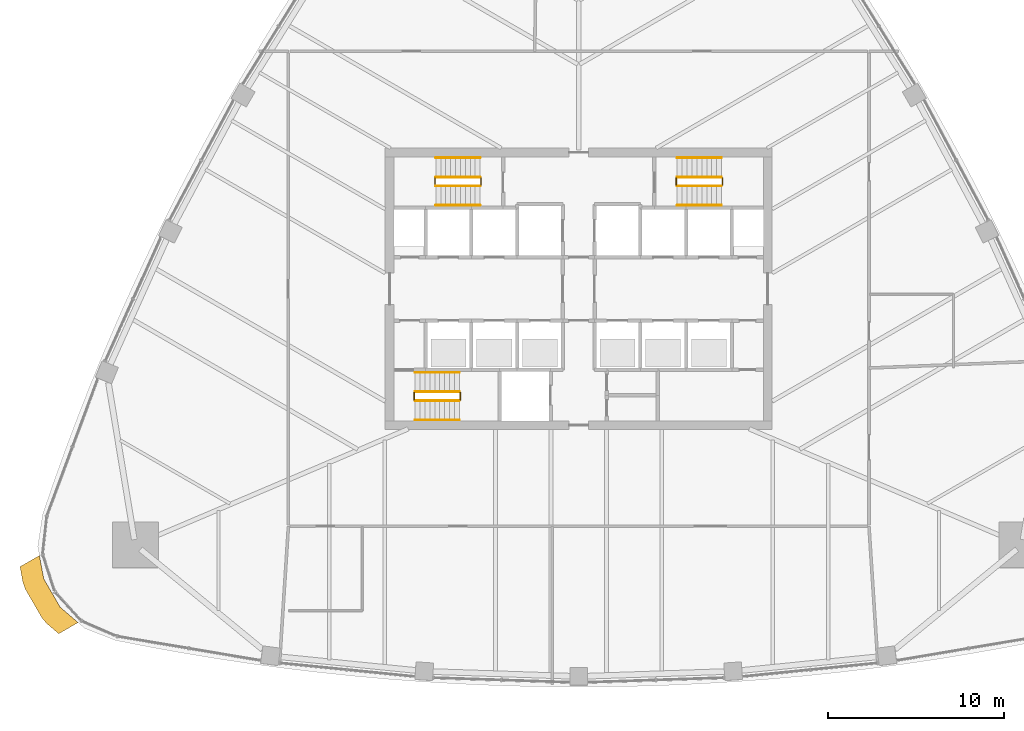
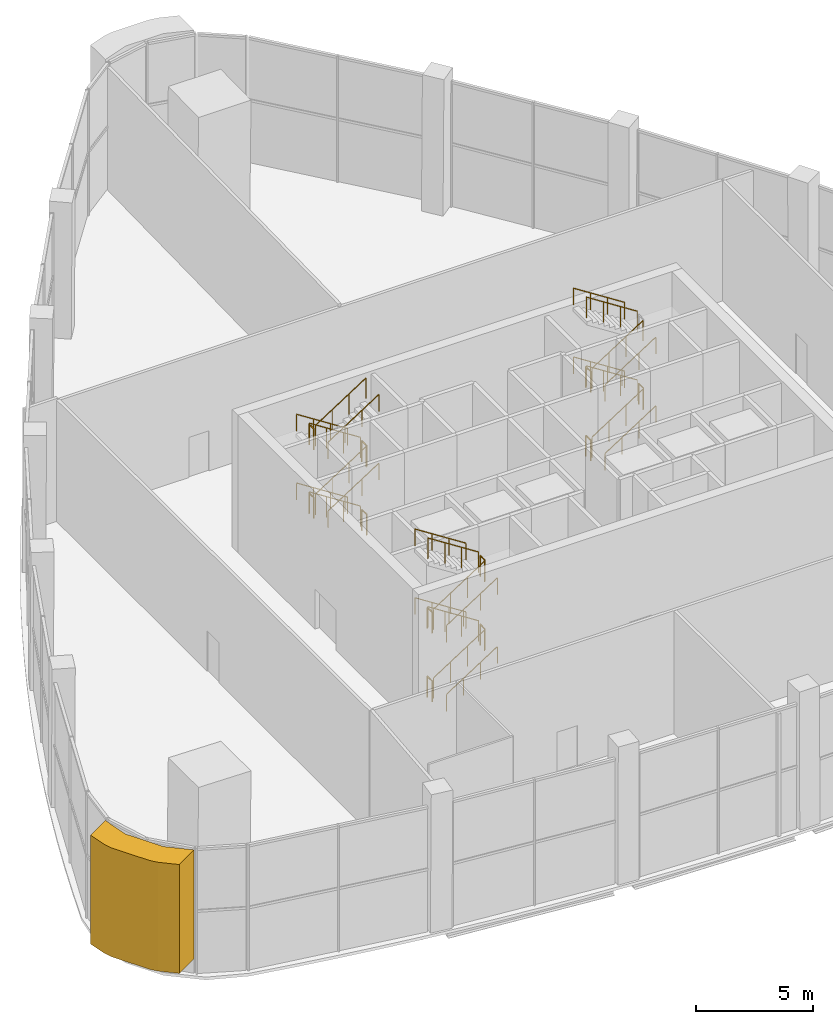
# One storey, part 13 of 15: 35 railings, 1 covering.
"""IFC4 building model written with IfcOpenShell, lengths in metres."""

from ifc_helpers import new_model, si_unit, direction, frame, origin, origin_2d, place, context, subcontext, project, spatial, polyline, circle, outline, extrude, material, layer, layer_set, type_object, element, save


model = new_model("IFC4")

# Units and contexts
model_context = context("Model", 3, precision=1e-05, world=origin(), true_north=direction((0.0, 1.0)))
body_context = subcontext(model_context, "Body", "Model", "MODEL_VIEW")
ifc_project = project(units=[si_unit("LENGTHUNIT", "METRE"), si_unit("AREAUNIT", "SQUARE_METRE"), si_unit("VOLUMEUNIT", "CUBIC_METRE"), si_unit("PLANEANGLEUNIT", "RADIAN"), si_unit("MASSUNIT", "GRAM", prefix="KILO")], contexts=[model_context])

# Site, building, storey
site_placement = place(None, origin())
site = spatial("IfcSite", under=ifc_project, at=site_placement, CompositionType="ELEMENT")
building_placement = place(site_placement, origin())
building = spatial("IfcBuilding", under=site, at=building_placement, Name="Sierra Prisma Convention Tower", CompositionType="ELEMENT")
storey_placement = place(building_placement, frame((0.0, 0.0, 118.60009765625)))
storey = spatial("IfcBuildingStorey", under=building, at=storey_placement, Name="L25", CompositionType="ELEMENT", Elevation=118.60009765625)

# Covering
ifc_material_1 = material(Name="Aluminium composite bronze anodised", Category="aluminium")
ifc_layer = layer(ifc_material_1, 1.199951171875)
ifc_layer_set = layer_set([ifc_layer], Name="Bronze corner pier")
covering_type = type_object("IfcCoveringType", Name="Bronze corner pier", PredefinedType="CLADDING", material=ifc_layer_set)
covering_placement = place(storey_placement, frame((0.0, 0.0, 0.89990234375)))
element("IfcCovering", 1, at=covering_placement, inside=storey, type_object=covering_type, Name="Corner pier SW L25.1", PredefinedType="CLADDING", context=body_context, shape_type="SweptSolid", body=[
    extrude(outline(polyline([(-30.51220703125, -18.69482421875), (-31.4462890625, -17.076904296875), (-31.586669921875, -16.697509765625), (-31.755615234375, -15.793701171875), (-30.65380859375, -15.15771484375), (-30.406982421875, -16.476806640625), (-29.472900390625, -18.094970703125), (-28.453857421875, -18.96826171875), (-29.5556640625, -19.604248046875), (-30.253662109375, -19.006103515625), (-30.51220703125, -18.69482421875)])), origin(), (0.0, 0.0, 1.0), 5.699951171875),
])

# Railings
ifc_material_2 = material(Name="Stainless steel", Category="steel")
railing_type_1 = type_object("IfcRailingType", Name="Exit stair handrail", PredefinedType="HANDRAIL", material=ifc_material_2)
railing_1_placement = place(storey_placement, frame((-9.300048828125, -7.449951171875, 0.179931640625)))
element("IfcRailing", 2, at=railing_1_placement, inside=storey, type_object=railing_type_1, Name="L25 S1 stair handrail 1", PredefinedType="HANDRAIL", context=body_context, shape_type="SweptSolid", body=[
    extrude(circle(Radius=0.02392578125, at=origin_2d()), frame((0.0, 0.0, 0.8759765625), z_axis=(0.841199657755, 0.0, 0.540724639528), x_axis=(0.0, 1.0, 0.0)), (0.0, 0.0, 1.0), 2.995849609375),
    extrude(circle(Radius=0.02099609375, at=origin_2d()), origin(), (0.0, 0.0, 1.0), 0.851806640625),
    extrude(circle(Radius=0.02099609375, at=origin_2d()), frame((0.840087890625, 0.0, 0.5400390625)), (0.0, 0.0, 1.0), 0.851806640625),
    extrude(circle(Radius=0.02099609375, at=origin_2d()), frame((1.679931640625, 0.0, 1.079833984375)), (0.0, 0.0, 1.0), 0.851806640625),
    extrude(circle(Radius=0.02099609375, at=origin_2d()), frame((2.52001953125, 0.0, 1.619873046875)), (0.0, 0.0, 1.0), 0.851806640625),
])
railing_2_placement = place(storey_placement, frame((-6.780029296875, -4.75, 1.97998046875)))
element("IfcRailing", 3, at=railing_2_placement, inside=storey, type_object=railing_type_1, Name="L25 S1 stair handrail 2", PredefinedType="HANDRAIL", context=body_context, shape_type="SweptSolid", body=[
    extrude(circle(Radius=0.02392578125, at=origin_2d()), frame((0.0, 0.0, 0.8759765625), z_axis=(-0.841199657755, 0.0, 0.540724639528), x_axis=(0.0, -1.0, 0.0)), (0.0, 0.0, 1.0), 2.995849609375),
    extrude(circle(Radius=0.02099609375, at=origin_2d()), origin(), (0.0, 0.0, 1.0), 0.851806640625),
    extrude(circle(Radius=0.02099609375, at=origin_2d()), frame((-0.840087890625, 0.0, 0.5400390625)), (0.0, 0.0, 1.0), 0.851806640625),
    extrude(circle(Radius=0.02099609375, at=origin_2d()), frame((-1.679931640625, 0.0, 1.079833984375)), (0.0, 0.0, 1.0), 0.851806640625),
    extrude(circle(Radius=0.02099609375, at=origin_2d()), frame((-2.52001953125, 0.0, 1.619873046875)), (0.0, 0.0, 1.0), 0.851806640625),
])
railing_3_placement = place(storey_placement, frame((-9.300048828125, -7.449951171875, 3.77978515625)))
element("IfcRailing", 4, at=railing_3_placement, inside=storey, type_object=railing_type_1, Name="L25 S1 stair handrail 3", PredefinedType="HANDRAIL", context=body_context, shape_type="SweptSolid", body=[
    extrude(circle(Radius=0.02392578125, at=origin_2d()), frame((0.0, 0.0, 0.8759765625), z_axis=(0.841162588446, 0.0, 0.540782303519), x_axis=(0.0, 1.0, 0.0)), (0.0, 0.0, 1.0), 2.995849609375),
    extrude(circle(Radius=0.02099609375, at=origin_2d()), origin(), (0.0, 0.0, 1.0), 0.851806640625),
    extrude(circle(Radius=0.02099609375, at=origin_2d()), frame((0.840087890625, 0.0, 0.5400390625)), (0.0, 0.0, 1.0), 0.851806640625),
    extrude(circle(Radius=0.02099609375, at=origin_2d()), frame((1.679931640625, 0.0, 1.080078125)), (0.0, 0.0, 1.0), 0.851806640625),
    extrude(circle(Radius=0.02099609375, at=origin_2d()), frame((2.52001953125, 0.0, 1.6201171875)), (0.0, 0.0, 1.0), 0.851806640625),
])
railing_4_placement = place(storey_placement, frame((-6.780029296875, -4.75, 5.579833984375)))
element("IfcRailing", 5, at=railing_4_placement, inside=storey, type_object=railing_type_1, Name="L25 S1 stair handrail 4", PredefinedType="HANDRAIL", context=body_context, shape_type="SweptSolid", body=[
    extrude(circle(Radius=0.02392578125, at=origin_2d()), frame((0.0, 0.0, 0.8759765625), z_axis=(-0.841162588446, 0.0, 0.540782303519), x_axis=(0.0, -1.0, 0.0)), (0.0, 0.0, 1.0), 2.995849609375),
    extrude(circle(Radius=0.02099609375, at=origin_2d()), origin(), (0.0, 0.0, 1.0), 0.851806640625),
    extrude(circle(Radius=0.02099609375, at=origin_2d()), frame((-0.840087890625, 0.0, 0.5400390625)), (0.0, 0.0, 1.0), 0.851806640625),
    extrude(circle(Radius=0.02099609375, at=origin_2d()), frame((-1.679931640625, 0.0, 1.080078125)), (0.0, 0.0, 1.0), 0.851806640625),
    extrude(circle(Radius=0.02099609375, at=origin_2d()), frame((-2.52001953125, 0.0, 1.6201171875)), (0.0, 0.0, 1.0), 0.851806640625),
])
railing_5_placement = place(storey_placement, frame((-5.60009765625, 7.449951171875, 0.179931640625)))
element("IfcRailing", 6, at=railing_5_placement, inside=storey, type_object=railing_type_1, Name="L25 S3 stair handrail 1", PredefinedType="HANDRAIL", context=body_context, shape_type="SweptSolid", body=[
    extrude(circle(Radius=0.02392578125, at=origin_2d()), frame((0.0, 0.0, 0.8759765625), z_axis=(-0.841199657755, 0.0, 0.540724639528), x_axis=(0.0, -1.0, 0.0)), (0.0, 0.0, 1.0), 2.995849609375),
    extrude(circle(Radius=0.02099609375, at=origin_2d()), origin(), (0.0, 0.0, 1.0), 0.851806640625),
    extrude(circle(Radius=0.02099609375, at=origin_2d()), frame((-0.840087890625, 0.0, 0.5400390625)), (0.0, 0.0, 1.0), 0.851806640625),
    extrude(circle(Radius=0.02099609375, at=origin_2d()), frame((-1.679931640625, 0.0, 1.079833984375)), (0.0, 0.0, 1.0), 0.851806640625),
    extrude(circle(Radius=0.02099609375, at=origin_2d()), frame((-2.52001953125, 0.0, 1.619873046875)), (0.0, 0.0, 1.0), 0.851806640625),
])
railing_6_placement = place(storey_placement, frame((-8.1201171875, 4.75, 1.97998046875)))
element("IfcRailing", 7, at=railing_6_placement, inside=storey, type_object=railing_type_1, Name="L25 S3 stair handrail 2", PredefinedType="HANDRAIL", context=body_context, shape_type="SweptSolid", body=[
    extrude(circle(Radius=0.02392578125, at=origin_2d()), frame((0.0, 0.0, 0.8759765625), z_axis=(0.841199657755, 0.0, 0.540724639528), x_axis=(0.0, 1.0, 0.0)), (0.0, 0.0, 1.0), 2.995849609375),
    extrude(circle(Radius=0.02099609375, at=origin_2d()), origin(), (0.0, 0.0, 1.0), 0.851806640625),
    extrude(circle(Radius=0.02099609375, at=origin_2d()), frame((0.840087890625, 0.0, 0.5400390625)), (0.0, 0.0, 1.0), 0.851806640625),
    extrude(circle(Radius=0.02099609375, at=origin_2d()), frame((1.679931640625, 0.0, 1.079833984375)), (0.0, 0.0, 1.0), 0.851806640625),
    extrude(circle(Radius=0.02099609375, at=origin_2d()), frame((2.52001953125, 0.0, 1.619873046875)), (0.0, 0.0, 1.0), 0.851806640625),
])
railing_7_placement = place(storey_placement, frame((-5.60009765625, 7.449951171875, 3.77978515625)))
element("IfcRailing", 8, at=railing_7_placement, inside=storey, type_object=railing_type_1, Name="L25 S3 stair handrail 3", PredefinedType="HANDRAIL", context=body_context, shape_type="SweptSolid", body=[
    extrude(circle(Radius=0.02392578125, at=origin_2d()), frame((0.0, 0.0, 0.8759765625), z_axis=(-0.841162588446, 0.0, 0.540782303519), x_axis=(0.0, -1.0, 0.0)), (0.0, 0.0, 1.0), 2.995849609375),
    extrude(circle(Radius=0.02099609375, at=origin_2d()), origin(), (0.0, 0.0, 1.0), 0.851806640625),
    extrude(circle(Radius=0.02099609375, at=origin_2d()), frame((-0.840087890625, 0.0, 0.5400390625)), (0.0, 0.0, 1.0), 0.851806640625),
    extrude(circle(Radius=0.02099609375, at=origin_2d()), frame((-1.679931640625, 0.0, 1.080078125)), (0.0, 0.0, 1.0), 0.851806640625),
    extrude(circle(Radius=0.02099609375, at=origin_2d()), frame((-2.52001953125, 0.0, 1.6201171875)), (0.0, 0.0, 1.0), 0.851806640625),
])
railing_8_placement = place(storey_placement, frame((-8.1201171875, 4.75, 5.579833984375)))
element("IfcRailing", 9, at=railing_8_placement, inside=storey, type_object=railing_type_1, Name="L25 S3 stair handrail 4", PredefinedType="HANDRAIL", context=body_context, shape_type="SweptSolid", body=[
    extrude(circle(Radius=0.02392578125, at=origin_2d()), frame((0.0, 0.0, 0.8759765625), z_axis=(0.841162588446, 0.0, 0.540782303519), x_axis=(0.0, 1.0, 0.0)), (0.0, 0.0, 1.0), 2.995849609375),
    extrude(circle(Radius=0.02099609375, at=origin_2d()), origin(), (0.0, 0.0, 1.0), 0.851806640625),
    extrude(circle(Radius=0.02099609375, at=origin_2d()), frame((0.840087890625, 0.0, 0.5400390625)), (0.0, 0.0, 1.0), 0.851806640625),
    extrude(circle(Radius=0.02099609375, at=origin_2d()), frame((1.679931640625, 0.0, 1.080078125)), (0.0, 0.0, 1.0), 0.851806640625),
    extrude(circle(Radius=0.02099609375, at=origin_2d()), frame((2.52001953125, 0.0, 1.6201171875)), (0.0, 0.0, 1.0), 0.851806640625),
])
railing_9_placement = place(storey_placement, frame((5.60009765625, 4.75, 0.179931640625)))
element("IfcRailing", 10, at=railing_9_placement, inside=storey, type_object=railing_type_1, Name="L25 S4 stair handrail 1", PredefinedType="HANDRAIL", context=body_context, shape_type="SweptSolid", body=[
    extrude(circle(Radius=0.02392578125, at=origin_2d()), frame((0.0, 0.0, 0.8759765625), z_axis=(0.841199657755, 0.0, 0.540724639528), x_axis=(0.0, 1.0, 0.0)), (0.0, 0.0, 1.0), 2.995849609375),
    extrude(circle(Radius=0.02099609375, at=origin_2d()), origin(), (0.0, 0.0, 1.0), 0.851806640625),
    extrude(circle(Radius=0.02099609375, at=origin_2d()), frame((0.840087890625, 0.0, 0.5400390625)), (0.0, 0.0, 1.0), 0.851806640625),
    extrude(circle(Radius=0.02099609375, at=origin_2d()), frame((1.679931640625, 0.0, 1.079833984375)), (0.0, 0.0, 1.0), 0.851806640625),
    extrude(circle(Radius=0.02099609375, at=origin_2d()), frame((2.52001953125, 0.0, 1.619873046875)), (0.0, 0.0, 1.0), 0.851806640625),
])
railing_10_placement = place(storey_placement, frame((8.1201171875, 7.449951171875, 1.97998046875)))
element("IfcRailing", 11, at=railing_10_placement, inside=storey, type_object=railing_type_1, Name="L25 S4 stair handrail 2", PredefinedType="HANDRAIL", context=body_context, shape_type="SweptSolid", body=[
    extrude(circle(Radius=0.02392578125, at=origin_2d()), frame((0.0, 0.0, 0.8759765625), z_axis=(-0.841199657755, 0.0, 0.540724639528), x_axis=(0.0, -1.0, 0.0)), (0.0, 0.0, 1.0), 2.995849609375),
    extrude(circle(Radius=0.02099609375, at=origin_2d()), origin(), (0.0, 0.0, 1.0), 0.851806640625),
    extrude(circle(Radius=0.02099609375, at=origin_2d()), frame((-0.840087890625, 0.0, 0.5400390625)), (0.0, 0.0, 1.0), 0.851806640625),
    extrude(circle(Radius=0.02099609375, at=origin_2d()), frame((-1.679931640625, 0.0, 1.079833984375)), (0.0, 0.0, 1.0), 0.851806640625),
    extrude(circle(Radius=0.02099609375, at=origin_2d()), frame((-2.52001953125, 0.0, 1.619873046875)), (0.0, 0.0, 1.0), 0.851806640625),
])
railing_11_placement = place(storey_placement, frame((5.60009765625, 4.75, 3.77978515625)))
element("IfcRailing", 12, at=railing_11_placement, inside=storey, type_object=railing_type_1, Name="L25 S4 stair handrail 3", PredefinedType="HANDRAIL", context=body_context, shape_type="SweptSolid", body=[
    extrude(circle(Radius=0.02392578125, at=origin_2d()), frame((0.0, 0.0, 0.8759765625), z_axis=(0.841162588446, 0.0, 0.540782303519), x_axis=(0.0, 1.0, 0.0)), (0.0, 0.0, 1.0), 2.995849609375),
    extrude(circle(Radius=0.02099609375, at=origin_2d()), origin(), (0.0, 0.0, 1.0), 0.851806640625),
    extrude(circle(Radius=0.02099609375, at=origin_2d()), frame((0.840087890625, 0.0, 0.5400390625)), (0.0, 0.0, 1.0), 0.851806640625),
    extrude(circle(Radius=0.02099609375, at=origin_2d()), frame((1.679931640625, 0.0, 1.080078125)), (0.0, 0.0, 1.0), 0.851806640625),
    extrude(circle(Radius=0.02099609375, at=origin_2d()), frame((2.52001953125, 0.0, 1.6201171875)), (0.0, 0.0, 1.0), 0.851806640625),
])
railing_12_placement = place(storey_placement, frame((8.1201171875, 7.449951171875, 5.579833984375)))
element("IfcRailing", 13, at=railing_12_placement, inside=storey, type_object=railing_type_1, Name="L25 S4 stair handrail 4", PredefinedType="HANDRAIL", context=body_context, shape_type="SweptSolid", body=[
    extrude(circle(Radius=0.02392578125, at=origin_2d()), frame((0.0, 0.0, 0.8759765625), z_axis=(-0.841162588446, 0.0, 0.540782303519), x_axis=(0.0, -1.0, 0.0)), (0.0, 0.0, 1.0), 2.995849609375),
    extrude(circle(Radius=0.02099609375, at=origin_2d()), origin(), (0.0, 0.0, 1.0), 0.851806640625),
    extrude(circle(Radius=0.02099609375, at=origin_2d()), frame((-0.840087890625, 0.0, 0.5400390625)), (0.0, 0.0, 1.0), 0.851806640625),
    extrude(circle(Radius=0.02099609375, at=origin_2d()), frame((-1.679931640625, 0.0, 1.080078125)), (0.0, 0.0, 1.0), 0.851806640625),
    extrude(circle(Radius=0.02099609375, at=origin_2d()), frame((-2.52001953125, 0.0, 1.6201171875)), (0.0, 0.0, 1.0), 0.851806640625),
])
ifc_material_3 = material(Name="Stainless steel", Category="steel")
railing_type_2 = type_object("IfcRailingType", Name="Stair guard 1100", PredefinedType="GUARDRAIL", material=ifc_material_3)
railing_13_placement = place(storey_placement, frame((-9.300048828125, -6.35009765625, 0.179931640625)))
element("IfcRailing", 14, at=railing_13_placement, inside=storey, type_object=railing_type_2, Name="L25 S1 stair guard 1", PredefinedType="GUARDRAIL", context=body_context, shape_type="SweptSolid", body=[
    extrude(circle(Radius=0.02392578125, at=origin_2d()), frame((0.0, 0.0, 1.076171875), z_axis=(0.841199657755, 0.0, 0.540724639528), x_axis=(0.0, 1.0, 0.0)), (0.0, 0.0, 1.0), 2.995849609375),
    extrude(circle(Radius=0.02099609375, at=origin_2d()), origin(), (0.0, 0.0, 1.0), 1.052001953125),
    extrude(circle(Radius=0.02099609375, at=origin_2d()), frame((0.840087890625, 0.0, 0.5400390625)), (0.0, 0.0, 1.0), 1.052001953125),
    extrude(circle(Radius=0.02099609375, at=origin_2d()), frame((1.679931640625, 0.0, 1.079833984375)), (0.0, 0.0, 1.0), 1.052001953125),
    extrude(circle(Radius=0.02099609375, at=origin_2d()), frame((2.52001953125, 0.0, 1.619873046875)), (0.0, 0.0, 1.0), 1.052001953125),
])
railing_14_placement = place(storey_placement, frame((-6.72998046875, -6.300048828125, 1.7998046875)))
element("IfcRailing", 15, at=railing_14_placement, inside=storey, type_object=railing_type_2, Name="L25 S1 stair guard 2", PredefinedType="GUARDRAIL", context=body_context, shape_type="SweptSolid", body=[
    extrude(circle(Radius=0.02392578125, at=origin_2d()), frame((0.0, 0.0, 1.076171875), z_axis=(0.0, 1.0, 0.0), x_axis=(-1.0, 0.0, 0.0)), (0.0, 0.0, 1.0), 0.400146484375),
    extrude(circle(Radius=0.02099609375, at=origin_2d()), origin(), (0.0, 0.0, 1.0), 1.052001953125),
    extrude(circle(Radius=0.02099609375, at=origin_2d()), frame((0.0, 0.400146484375, 0.0)), (0.0, 0.0, 1.0), 1.052001953125),
])
railing_15_placement = place(storey_placement, frame((-6.780029296875, -5.85009765625, 1.97998046875)))
element("IfcRailing", 16, at=railing_15_placement, inside=storey, type_object=railing_type_2, Name="L25 S1 stair guard 3", PredefinedType="GUARDRAIL", context=body_context, shape_type="SweptSolid", body=[
    extrude(circle(Radius=0.02392578125, at=origin_2d()), frame((0.0, 0.0, 1.076171875), z_axis=(-0.841199657755, 0.0, 0.540724639528), x_axis=(0.0, -1.0, 0.0)), (0.0, 0.0, 1.0), 2.995849609375),
    extrude(circle(Radius=0.02099609375, at=origin_2d()), origin(), (0.0, 0.0, 1.0), 1.052001953125),
    extrude(circle(Radius=0.02099609375, at=origin_2d()), frame((-0.840087890625, 0.0, 0.5400390625)), (0.0, 0.0, 1.0), 1.052001953125),
    extrude(circle(Radius=0.02099609375, at=origin_2d()), frame((-1.679931640625, 0.0, 1.079833984375)), (0.0, 0.0, 1.0), 1.052001953125),
    extrude(circle(Radius=0.02099609375, at=origin_2d()), frame((-2.52001953125, 0.0, 1.619873046875)), (0.0, 0.0, 1.0), 1.052001953125),
])
railing_16_placement = place(storey_placement, frame((-9.35009765625, -6.300048828125, 3.599853515625)))
element("IfcRailing", 17, at=railing_16_placement, inside=storey, type_object=railing_type_2, Name="L25 S1 stair guard 4", PredefinedType="GUARDRAIL", context=body_context, shape_type="SweptSolid", body=[
    extrude(circle(Radius=0.02392578125, at=origin_2d()), frame((0.0, 0.0, 1.076171875), z_axis=(0.0, 1.0, 0.0), x_axis=(-1.0, 0.0, 0.0)), (0.0, 0.0, 1.0), 0.400146484375),
    extrude(circle(Radius=0.02099609375, at=origin_2d()), origin(), (0.0, 0.0, 1.0), 1.052001953125),
    extrude(circle(Radius=0.02099609375, at=origin_2d()), frame((0.0, 0.400146484375, 0.0)), (0.0, 0.0, 1.0), 1.052001953125),
])
railing_17_placement = place(storey_placement, frame((-9.300048828125, -6.35009765625, 3.77978515625)))
element("IfcRailing", 18, at=railing_17_placement, inside=storey, type_object=railing_type_2, Name="L25 S1 stair guard 5", PredefinedType="GUARDRAIL", context=body_context, shape_type="SweptSolid", body=[
    extrude(circle(Radius=0.02392578125, at=origin_2d()), frame((0.0, 0.0, 1.076171875), z_axis=(0.841162588446, 0.0, 0.540782303519), x_axis=(0.0, 1.0, 0.0)), (0.0, 0.0, 1.0), 2.995849609375),
    extrude(circle(Radius=0.02099609375, at=origin_2d()), origin(), (0.0, 0.0, 1.0), 1.052001953125),
    extrude(circle(Radius=0.02099609375, at=origin_2d()), frame((0.840087890625, 0.0, 0.5400390625)), (0.0, 0.0, 1.0), 1.052001953125),
    extrude(circle(Radius=0.02099609375, at=origin_2d()), frame((1.679931640625, 0.0, 1.080078125)), (0.0, 0.0, 1.0), 1.052001953125),
    extrude(circle(Radius=0.02099609375, at=origin_2d()), frame((2.52001953125, 0.0, 1.6201171875)), (0.0, 0.0, 1.0), 1.052001953125),
])
railing_18_placement = place(storey_placement, frame((-6.72998046875, -6.300048828125, 5.39990234375)))
element("IfcRailing", 19, at=railing_18_placement, inside=storey, type_object=railing_type_2, Name="L25 S1 stair guard 6", PredefinedType="GUARDRAIL", context=body_context, shape_type="SweptSolid", body=[
    extrude(circle(Radius=0.02392578125, at=origin_2d()), frame((0.0, 0.0, 1.076171875), z_axis=(0.0, 1.0, 0.0), x_axis=(-1.0, 0.0, 0.0)), (0.0, 0.0, 1.0), 0.400146484375),
    extrude(circle(Radius=0.02099609375, at=origin_2d()), origin(), (0.0, 0.0, 1.0), 1.052001953125),
    extrude(circle(Radius=0.02099609375, at=origin_2d()), frame((0.0, 0.400146484375, 0.0)), (0.0, 0.0, 1.0), 1.052001953125),
])
railing_19_placement = place(storey_placement, frame((-6.780029296875, -5.85009765625, 5.579833984375)))
element("IfcRailing", 20, at=railing_19_placement, inside=storey, type_object=railing_type_2, Name="L25 S1 stair guard 7", PredefinedType="GUARDRAIL", context=body_context, shape_type="SweptSolid", body=[
    extrude(circle(Radius=0.02392578125, at=origin_2d()), frame((0.0, 0.0, 1.076171875), z_axis=(-0.841162588446, 0.0, 0.540782303519), x_axis=(0.0, -1.0, 0.0)), (0.0, 0.0, 1.0), 2.995849609375),
    extrude(circle(Radius=0.02099609375, at=origin_2d()), origin(), (0.0, 0.0, 1.0), 1.052001953125),
    extrude(circle(Radius=0.02099609375, at=origin_2d()), frame((-0.840087890625, 0.0, 0.5400390625)), (0.0, 0.0, 1.0), 1.052001953125),
    extrude(circle(Radius=0.02099609375, at=origin_2d()), frame((-1.679931640625, 0.0, 1.080078125)), (0.0, 0.0, 1.0), 1.052001953125),
    extrude(circle(Radius=0.02099609375, at=origin_2d()), frame((-2.52001953125, 0.0, 1.6201171875)), (0.0, 0.0, 1.0), 1.052001953125),
])
railing_20_placement = place(storey_placement, frame((-9.35009765625, -6.300048828125, 0.0)))
element("IfcRailing", 21, at=railing_20_placement, inside=storey, type_object=railing_type_2, Name="L25 S1 stair guard 8", PredefinedType="GUARDRAIL", context=body_context, shape_type="SweptSolid", body=[
    extrude(circle(Radius=0.02392578125, at=origin_2d()), frame((0.0, 0.0, 1.076171875), z_axis=(0.0, 1.0, 0.0), x_axis=(-1.0, 0.0, 0.0)), (0.0, 0.0, 1.0), 0.400146484375),
    extrude(circle(Radius=0.02099609375, at=origin_2d()), origin(), (0.0, 0.0, 1.0), 1.052001953125),
    extrude(circle(Radius=0.02099609375, at=origin_2d()), frame((0.0, 0.400146484375, 0.0)), (0.0, 0.0, 1.0), 1.052001953125),
])
railing_21_placement = place(storey_placement, frame((-5.60009765625, 6.35009765625, 0.179931640625)))
element("IfcRailing", 22, at=railing_21_placement, inside=storey, type_object=railing_type_2, Name="L25 S3 stair guard 1", PredefinedType="GUARDRAIL", context=body_context, shape_type="SweptSolid", body=[
    extrude(circle(Radius=0.02392578125, at=origin_2d()), frame((0.0, 0.0, 1.076171875), z_axis=(-0.841199657755, 0.0, 0.540724639528), x_axis=(0.0, -1.0, 0.0)), (0.0, 0.0, 1.0), 2.995849609375),
    extrude(circle(Radius=0.02099609375, at=origin_2d()), origin(), (0.0, 0.0, 1.0), 1.052001953125),
    extrude(circle(Radius=0.02099609375, at=origin_2d()), frame((-0.840087890625, 0.0, 0.5400390625)), (0.0, 0.0, 1.0), 1.052001953125),
    extrude(circle(Radius=0.02099609375, at=origin_2d()), frame((-1.679931640625, 0.0, 1.079833984375)), (0.0, 0.0, 1.0), 1.052001953125),
    extrude(circle(Radius=0.02099609375, at=origin_2d()), frame((-2.52001953125, 0.0, 1.619873046875)), (0.0, 0.0, 1.0), 1.052001953125),
])
railing_22_placement = place(storey_placement, frame((-8.169921875, 6.300048828125, 1.7998046875)))
element("IfcRailing", 23, at=railing_22_placement, inside=storey, type_object=railing_type_2, Name="L25 S3 stair guard 2", PredefinedType="GUARDRAIL", context=body_context, shape_type="SweptSolid", body=[
    extrude(circle(Radius=0.02392578125, at=origin_2d()), frame((0.0, 0.0, 1.076171875), z_axis=(0.0, -1.0, 0.0), x_axis=(1.0, 0.0, 0.0)), (0.0, 0.0, 1.0), 0.400146484375),
    extrude(circle(Radius=0.02099609375, at=origin_2d()), origin(), (0.0, 0.0, 1.0), 1.052001953125),
    extrude(circle(Radius=0.02099609375, at=origin_2d()), frame((0.0, -0.400146484375, 0.0)), (0.0, 0.0, 1.0), 1.052001953125),
])
railing_23_placement = place(storey_placement, frame((-8.1201171875, 5.85009765625, 1.97998046875)))
element("IfcRailing", 24, at=railing_23_placement, inside=storey, type_object=railing_type_2, Name="L25 S3 stair guard 3", PredefinedType="GUARDRAIL", context=body_context, shape_type="SweptSolid", body=[
    extrude(circle(Radius=0.02392578125, at=origin_2d()), frame((0.0, 0.0, 1.076171875), z_axis=(0.841199657755, 0.0, 0.540724639528), x_axis=(0.0, 1.0, 0.0)), (0.0, 0.0, 1.0), 2.995849609375),
    extrude(circle(Radius=0.02099609375, at=origin_2d()), origin(), (0.0, 0.0, 1.0), 1.052001953125),
    extrude(circle(Radius=0.02099609375, at=origin_2d()), frame((0.840087890625, 0.0, 0.5400390625)), (0.0, 0.0, 1.0), 1.052001953125),
    extrude(circle(Radius=0.02099609375, at=origin_2d()), frame((1.679931640625, 0.0, 1.079833984375)), (0.0, 0.0, 1.0), 1.052001953125),
    extrude(circle(Radius=0.02099609375, at=origin_2d()), frame((2.52001953125, 0.0, 1.619873046875)), (0.0, 0.0, 1.0), 1.052001953125),
])
railing_24_placement = place(storey_placement, frame((-5.550048828125, 6.300048828125, 3.599853515625)))
element("IfcRailing", 25, at=railing_24_placement, inside=storey, type_object=railing_type_2, Name="L25 S3 stair guard 4", PredefinedType="GUARDRAIL", context=body_context, shape_type="SweptSolid", body=[
    extrude(circle(Radius=0.02392578125, at=origin_2d()), frame((0.0, 0.0, 1.076171875), z_axis=(0.0, -1.0, 0.0), x_axis=(1.0, 0.0, 0.0)), (0.0, 0.0, 1.0), 0.400146484375),
    extrude(circle(Radius=0.02099609375, at=origin_2d()), origin(), (0.0, 0.0, 1.0), 1.052001953125),
    extrude(circle(Radius=0.02099609375, at=origin_2d()), frame((0.0, -0.400146484375, 0.0)), (0.0, 0.0, 1.0), 1.052001953125),
])
railing_25_placement = place(storey_placement, frame((-5.60009765625, 6.35009765625, 3.77978515625)))
element("IfcRailing", 26, at=railing_25_placement, inside=storey, type_object=railing_type_2, Name="L25 S3 stair guard 5", PredefinedType="GUARDRAIL", context=body_context, shape_type="SweptSolid", body=[
    extrude(circle(Radius=0.02392578125, at=origin_2d()), frame((0.0, 0.0, 1.076171875), z_axis=(-0.841162588446, 0.0, 0.540782303519), x_axis=(0.0, -1.0, 0.0)), (0.0, 0.0, 1.0), 2.995849609375),
    extrude(circle(Radius=0.02099609375, at=origin_2d()), origin(), (0.0, 0.0, 1.0), 1.052001953125),
    extrude(circle(Radius=0.02099609375, at=origin_2d()), frame((-0.840087890625, 0.0, 0.5400390625)), (0.0, 0.0, 1.0), 1.052001953125),
    extrude(circle(Radius=0.02099609375, at=origin_2d()), frame((-1.679931640625, 0.0, 1.080078125)), (0.0, 0.0, 1.0), 1.052001953125),
    extrude(circle(Radius=0.02099609375, at=origin_2d()), frame((-2.52001953125, 0.0, 1.6201171875)), (0.0, 0.0, 1.0), 1.052001953125),
])
railing_26_placement = place(storey_placement, frame((-8.169921875, 6.300048828125, 5.39990234375)))
element("IfcRailing", 27, at=railing_26_placement, inside=storey, type_object=railing_type_2, Name="L25 S3 stair guard 6", PredefinedType="GUARDRAIL", context=body_context, shape_type="SweptSolid", body=[
    extrude(circle(Radius=0.02392578125, at=origin_2d()), frame((0.0, 0.0, 1.076171875), z_axis=(0.0, -1.0, 0.0), x_axis=(1.0, 0.0, 0.0)), (0.0, 0.0, 1.0), 0.400146484375),
    extrude(circle(Radius=0.02099609375, at=origin_2d()), origin(), (0.0, 0.0, 1.0), 1.052001953125),
    extrude(circle(Radius=0.02099609375, at=origin_2d()), frame((0.0, -0.400146484375, 0.0)), (0.0, 0.0, 1.0), 1.052001953125),
])
railing_27_placement = place(storey_placement, frame((-8.1201171875, 5.85009765625, 5.579833984375)))
element("IfcRailing", 28, at=railing_27_placement, inside=storey, type_object=railing_type_2, Name="L25 S3 stair guard 7", PredefinedType="GUARDRAIL", context=body_context, shape_type="SweptSolid", body=[
    extrude(circle(Radius=0.02392578125, at=origin_2d()), frame((0.0, 0.0, 1.076171875), z_axis=(0.841162588446, 0.0, 0.540782303519), x_axis=(0.0, 1.0, 0.0)), (0.0, 0.0, 1.0), 2.995849609375),
    extrude(circle(Radius=0.02099609375, at=origin_2d()), origin(), (0.0, 0.0, 1.0), 1.052001953125),
    extrude(circle(Radius=0.02099609375, at=origin_2d()), frame((0.840087890625, 0.0, 0.5400390625)), (0.0, 0.0, 1.0), 1.052001953125),
    extrude(circle(Radius=0.02099609375, at=origin_2d()), frame((1.679931640625, 0.0, 1.080078125)), (0.0, 0.0, 1.0), 1.052001953125),
    extrude(circle(Radius=0.02099609375, at=origin_2d()), frame((2.52001953125, 0.0, 1.6201171875)), (0.0, 0.0, 1.0), 1.052001953125),
])
railing_28_placement = place(storey_placement, frame((-5.550048828125, 6.300048828125, 0.0)))
element("IfcRailing", 29, at=railing_28_placement, inside=storey, type_object=railing_type_2, Name="L25 S3 stair guard 8", PredefinedType="GUARDRAIL", context=body_context, shape_type="SweptSolid", body=[
    extrude(circle(Radius=0.02392578125, at=origin_2d()), frame((0.0, 0.0, 1.076171875), z_axis=(0.0, -1.0, 0.0), x_axis=(1.0, 0.0, 0.0)), (0.0, 0.0, 1.0), 0.400146484375),
    extrude(circle(Radius=0.02099609375, at=origin_2d()), origin(), (0.0, 0.0, 1.0), 1.052001953125),
    extrude(circle(Radius=0.02099609375, at=origin_2d()), frame((0.0, -0.400146484375, 0.0)), (0.0, 0.0, 1.0), 1.052001953125),
])
railing_29_placement = place(storey_placement, frame((5.60009765625, 5.85009765625, 0.179931640625)))
element("IfcRailing", 30, at=railing_29_placement, inside=storey, type_object=railing_type_2, Name="L25 S4 stair guard 1", PredefinedType="GUARDRAIL", context=body_context, shape_type="SweptSolid", body=[
    extrude(circle(Radius=0.02392578125, at=origin_2d()), frame((0.0, 0.0, 1.076171875), z_axis=(0.841199657755, 0.0, 0.540724639528), x_axis=(0.0, 1.0, 0.0)), (0.0, 0.0, 1.0), 2.995849609375),
    extrude(circle(Radius=0.02099609375, at=origin_2d()), origin(), (0.0, 0.0, 1.0), 1.052001953125),
    extrude(circle(Radius=0.02099609375, at=origin_2d()), frame((0.840087890625, 0.0, 0.5400390625)), (0.0, 0.0, 1.0), 1.052001953125),
    extrude(circle(Radius=0.02099609375, at=origin_2d()), frame((1.679931640625, 0.0, 1.079833984375)), (0.0, 0.0, 1.0), 1.052001953125),
    extrude(circle(Radius=0.02099609375, at=origin_2d()), frame((2.52001953125, 0.0, 1.619873046875)), (0.0, 0.0, 1.0), 1.052001953125),
])
railing_30_placement = place(storey_placement, frame((8.169921875, 5.89990234375, 1.7998046875)))
element("IfcRailing", 31, at=railing_30_placement, inside=storey, type_object=railing_type_2, Name="L25 S4 stair guard 2", PredefinedType="GUARDRAIL", context=body_context, shape_type="SweptSolid", body=[
    extrude(circle(Radius=0.02392578125, at=origin_2d()), frame((0.0, 0.0, 1.076171875), z_axis=(0.0, 1.0, 0.0), x_axis=(-1.0, 0.0, 0.0)), (0.0, 0.0, 1.0), 0.400146484375),
    extrude(circle(Radius=0.02099609375, at=origin_2d()), origin(), (0.0, 0.0, 1.0), 1.052001953125),
    extrude(circle(Radius=0.02099609375, at=origin_2d()), frame((0.0, 0.400146484375, 0.0)), (0.0, 0.0, 1.0), 1.052001953125),
])
railing_31_placement = place(storey_placement, frame((8.1201171875, 6.35009765625, 1.97998046875)))
element("IfcRailing", 32, at=railing_31_placement, inside=storey, type_object=railing_type_2, Name="L25 S4 stair guard 3", PredefinedType="GUARDRAIL", context=body_context, shape_type="SweptSolid", body=[
    extrude(circle(Radius=0.02392578125, at=origin_2d()), frame((0.0, 0.0, 1.076171875), z_axis=(-0.841199657755, 0.0, 0.540724639528), x_axis=(0.0, -1.0, 0.0)), (0.0, 0.0, 1.0), 2.995849609375),
    extrude(circle(Radius=0.02099609375, at=origin_2d()), origin(), (0.0, 0.0, 1.0), 1.052001953125),
    extrude(circle(Radius=0.02099609375, at=origin_2d()), frame((-0.840087890625, 0.0, 0.5400390625)), (0.0, 0.0, 1.0), 1.052001953125),
    extrude(circle(Radius=0.02099609375, at=origin_2d()), frame((-1.679931640625, 0.0, 1.079833984375)), (0.0, 0.0, 1.0), 1.052001953125),
    extrude(circle(Radius=0.02099609375, at=origin_2d()), frame((-2.52001953125, 0.0, 1.619873046875)), (0.0, 0.0, 1.0), 1.052001953125),
])
railing_32_placement = place(storey_placement, frame((5.550048828125, 5.89990234375, 3.599853515625)))
element("IfcRailing", 33, at=railing_32_placement, inside=storey, type_object=railing_type_2, Name="L25 S4 stair guard 4", PredefinedType="GUARDRAIL", context=body_context, shape_type="SweptSolid", body=[
    extrude(circle(Radius=0.02392578125, at=origin_2d()), frame((0.0, 0.0, 1.076171875), z_axis=(0.0, 1.0, 0.0), x_axis=(-1.0, 0.0, 0.0)), (0.0, 0.0, 1.0), 0.400146484375),
    extrude(circle(Radius=0.02099609375, at=origin_2d()), origin(), (0.0, 0.0, 1.0), 1.052001953125),
    extrude(circle(Radius=0.02099609375, at=origin_2d()), frame((0.0, 0.400146484375, 0.0)), (0.0, 0.0, 1.0), 1.052001953125),
])
railing_33_placement = place(storey_placement, frame((5.60009765625, 5.85009765625, 3.77978515625)))
element("IfcRailing", 34, at=railing_33_placement, inside=storey, type_object=railing_type_2, Name="L25 S4 stair guard 5", PredefinedType="GUARDRAIL", context=body_context, shape_type="SweptSolid", body=[
    extrude(circle(Radius=0.02392578125, at=origin_2d()), frame((0.0, 0.0, 1.076171875), z_axis=(0.841162588446, 0.0, 0.540782303519), x_axis=(0.0, 1.0, 0.0)), (0.0, 0.0, 1.0), 2.995849609375),
    extrude(circle(Radius=0.02099609375, at=origin_2d()), origin(), (0.0, 0.0, 1.0), 1.052001953125),
    extrude(circle(Radius=0.02099609375, at=origin_2d()), frame((0.840087890625, 0.0, 0.5400390625)), (0.0, 0.0, 1.0), 1.052001953125),
    extrude(circle(Radius=0.02099609375, at=origin_2d()), frame((1.679931640625, 0.0, 1.080078125)), (0.0, 0.0, 1.0), 1.052001953125),
    extrude(circle(Radius=0.02099609375, at=origin_2d()), frame((2.52001953125, 0.0, 1.6201171875)), (0.0, 0.0, 1.0), 1.052001953125),
])
railing_34_placement = place(storey_placement, frame((8.1201171875, 6.35009765625, 5.579833984375)))
element("IfcRailing", 35, at=railing_34_placement, inside=storey, type_object=railing_type_2, Name="L25 S4 stair guard 7", PredefinedType="GUARDRAIL", context=body_context, shape_type="SweptSolid", body=[
    extrude(circle(Radius=0.02392578125, at=origin_2d()), frame((0.0, 0.0, 1.076171875), z_axis=(-0.841162588446, 0.0, 0.540782303519), x_axis=(0.0, -1.0, 0.0)), (0.0, 0.0, 1.0), 2.995849609375),
    extrude(circle(Radius=0.02099609375, at=origin_2d()), origin(), (0.0, 0.0, 1.0), 1.052001953125),
    extrude(circle(Radius=0.02099609375, at=origin_2d()), frame((-0.840087890625, 0.0, 0.5400390625)), (0.0, 0.0, 1.0), 1.052001953125),
    extrude(circle(Radius=0.02099609375, at=origin_2d()), frame((-1.679931640625, 0.0, 1.080078125)), (0.0, 0.0, 1.0), 1.052001953125),
    extrude(circle(Radius=0.02099609375, at=origin_2d()), frame((-2.52001953125, 0.0, 1.6201171875)), (0.0, 0.0, 1.0), 1.052001953125),
])
railing_35_placement = place(storey_placement, frame((5.550048828125, 5.89990234375, 0.0)))
element("IfcRailing", 36, at=railing_35_placement, inside=storey, type_object=railing_type_2, Name="L25 S4 stair guard 8", PredefinedType="GUARDRAIL", context=body_context, shape_type="SweptSolid", body=[
    extrude(circle(Radius=0.02392578125, at=origin_2d()), frame((0.0, 0.0, 1.076171875), z_axis=(0.0, 1.0, 0.0), x_axis=(-1.0, 0.0, 0.0)), (0.0, 0.0, 1.0), 0.400146484375),
    extrude(circle(Radius=0.02099609375, at=origin_2d()), origin(), (0.0, 0.0, 1.0), 1.052001953125),
    extrude(circle(Radius=0.02099609375, at=origin_2d()), frame((0.0, 0.400146484375, 0.0)), (0.0, 0.0, 1.0), 1.052001953125),
])

save(model, "model.ifc")
